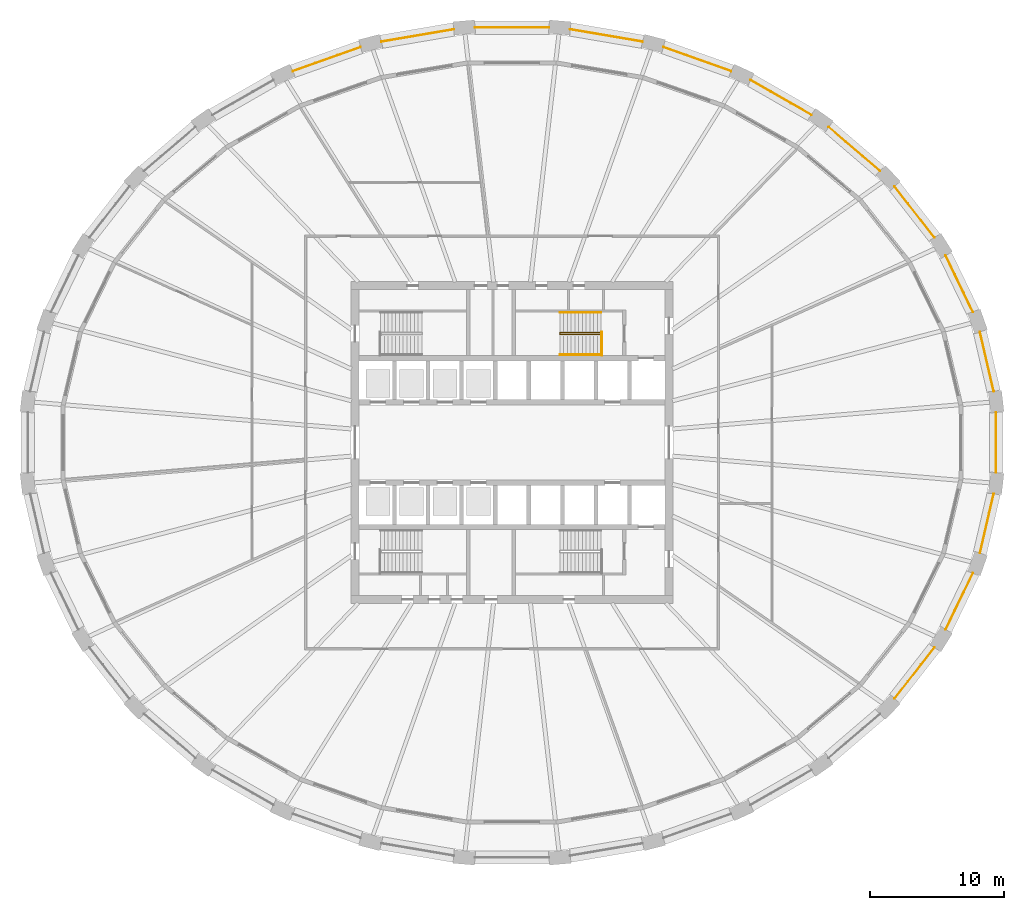
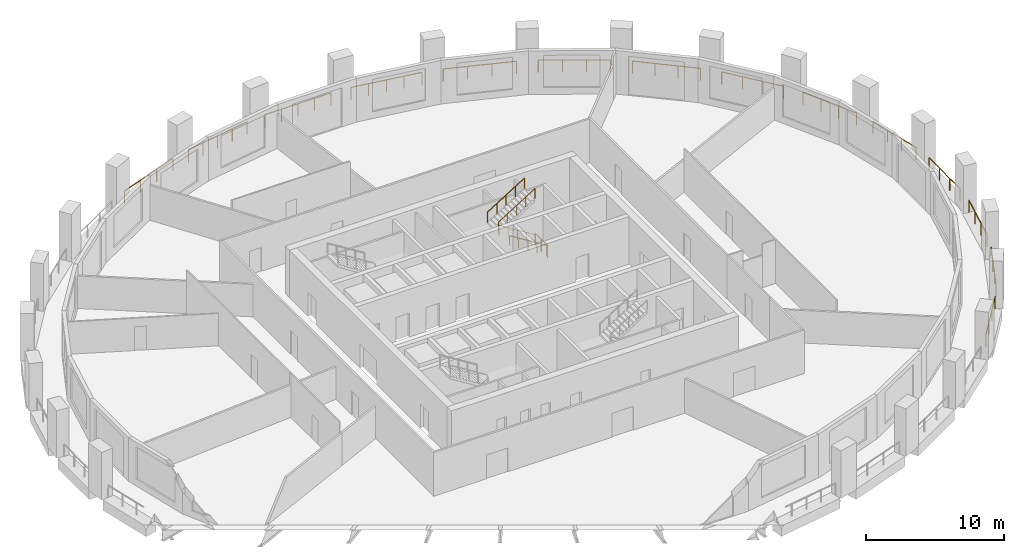
# One storey, part 9 of 10: 18 railings.
"""IFC4 building model written with IfcOpenShell, lengths in metres."""

from ifc_helpers import new_model, si_unit, direction, frame, origin, origin_2d, place, context, subcontext, project, spatial, circle, extrude, material, type_object, element, save


model = new_model("IFC4")

# Units and contexts
model_context = context("Model", 3, precision=1e-05, world=origin(), true_north=direction((0.0, 1.0)))
body_context = subcontext(model_context, "Body", "Model", "MODEL_VIEW")
ifc_project = project(units=[si_unit("LENGTHUNIT", "METRE"), si_unit("AREAUNIT", "SQUARE_METRE"), si_unit("VOLUMEUNIT", "CUBIC_METRE"), si_unit("PLANEANGLEUNIT", "RADIAN"), si_unit("MASSUNIT", "GRAM", prefix="KILO")], contexts=[model_context])

# Site, building, storey
site_placement = place(None, origin())
site = spatial("IfcSite", under=ifc_project, at=site_placement, CompositionType="ELEMENT")
building_placement = place(site_placement, origin())
building = spatial("IfcBuilding", under=site, at=building_placement, Name="Halqa Exchange Tower", CompositionType="ELEMENT")
storey_placement = place(building_placement, frame((0.0, 0.0, 94.89990234375)))
storey = spatial("IfcBuildingStorey", under=building, at=storey_placement, Name="L21", CompositionType="ELEMENT", Elevation=94.89990234375)

# Railings
ifc_material = material(Name="Stainless steel", Category="steel")
railing_type_1 = type_object("IfcRailingType", Name="Guard 1100 stainless steel", PredefinedType="GUARDRAIL", material=ifc_material)
railing_1_placement = place(storey_placement, frame((35.933837890625, 3.828125, 0.0)))
element("IfcRailing", 1, at=railing_1_placement, inside=storey, type_object=railing_type_1, Name="Loggia guard 1", PredefinedType="GUARDRAIL", context=body_context, shape_type="SweptSolid", body=[
    extrude(circle(Radius=0.02392578125, at=origin_2d()), frame((0.0, 0.0, 1.076171875), z_axis=(-0.226049512148, 0.974115813473, 0.0), x_axis=(-0.974115813473, -0.226049512148, 0.0)), (0.0, 0.0, 1.0), 4.539306640625),
    extrude(circle(Radius=0.02099609375, at=origin_2d()), origin(), (0.0, 0.0, 1.0), 1.052001953125),
    extrude(circle(Radius=0.02099609375, at=origin_2d()), frame((-0.342041015625, 1.473876953125, 0.0)), (0.0, 0.0, 1.0), 1.052001953125),
    extrude(circle(Radius=0.02099609375, at=origin_2d()), frame((-0.68408203125, 2.947998046875, 0.0)), (0.0, 0.0, 1.0), 1.052001953125),
    extrude(circle(Radius=0.02099609375, at=origin_2d()), frame((-1.026123046875, 4.421875, 0.0)), (0.0, 0.0, 1.0), 1.052001953125),
])
railing_2_placement = place(storey_placement, frame((34.37890625, 9.749755859375, 0.0)))
element("IfcRailing", 2, at=railing_2_placement, inside=storey, type_object=railing_type_1, Name="Loggia guard 2", PredefinedType="GUARDRAIL", context=body_context, shape_type="SweptSolid", body=[
    extrude(circle(Radius=0.02392578125, at=origin_2d()), frame((0.0, 0.0, 1.076171875), z_axis=(-0.435136078438, 0.900364700131, 0.0), x_axis=(-0.900364700131, -0.435136078438, 0.0)), (0.0, 0.0, 1.0), 4.65673828125),
    extrude(circle(Radius=0.02099609375, at=origin_2d()), origin(), (0.0, 0.0, 1.0), 1.052001953125),
    extrude(circle(Radius=0.02099609375, at=origin_2d()), frame((-0.675537109375, 1.397705078125, 0.0)), (0.0, 0.0, 1.0), 1.052001953125),
    extrude(circle(Radius=0.02099609375, at=origin_2d()), frame((-1.350830078125, 2.795166015625, 0.0)), (0.0, 0.0, 1.0), 1.052001953125),
    extrude(circle(Radius=0.02099609375, at=origin_2d()), frame((-2.0263671875, 4.19287109375, 0.0)), (0.0, 0.0, 1.0), 1.052001953125),
])
railing_3_placement = place(storey_placement, frame((31.5126953125, 15.293701171875, 0.0)))
element("IfcRailing", 3, at=railing_3_placement, inside=storey, type_object=railing_type_1, Name="Loggia guard 3", PredefinedType="GUARDRAIL", context=body_context, shape_type="SweptSolid", body=[
    extrude(circle(Radius=0.02392578125, at=origin_2d()), frame((0.0, 0.0, 1.076171875), z_axis=(-0.614804814525, 0.788679301133, 0.0), x_axis=(-0.788679301133, -0.614804814525, 0.0)), (0.0, 0.0, 1.0), 4.828857421875),
    extrude(circle(Radius=0.02099609375, at=origin_2d()), origin(), (0.0, 0.0, 1.0), 1.052001953125),
    extrude(circle(Radius=0.02099609375, at=origin_2d()), frame((-0.989501953125, 1.26953125, 0.0)), (0.0, 0.0, 1.0), 1.052001953125),
    extrude(circle(Radius=0.02099609375, at=origin_2d()), frame((-1.979248046875, 2.538818359375, 0.0)), (0.0, 0.0, 1.0), 1.052001953125),
    extrude(circle(Radius=0.02099609375, at=origin_2d()), frame((-2.96875, 3.808349609375, 0.0)), (0.0, 0.0, 1.0), 1.052001953125),
])
railing_4_placement = place(storey_placement, frame((27.44482421875, 20.253662109375, 0.0)))
element("IfcRailing", 4, at=railing_4_placement, inside=storey, type_object=railing_type_1, Name="Loggia guard 4", PredefinedType="GUARDRAIL", context=body_context, shape_type="SweptSolid", body=[
    extrude(circle(Radius=0.02392578125, at=origin_2d()), frame((0.0, 0.0, 1.076171875), z_axis=(-0.759263460736, 0.650783371938, 0.0), x_axis=(-0.650783371938, -0.759263460736, 0.0)), (0.0, 0.0, 1.0), 5.025390625),
    extrude(circle(Radius=0.02099609375, at=origin_2d()), origin(), (0.0, 0.0, 1.0), 1.052001953125),
    extrude(circle(Radius=0.02099609375, at=origin_2d()), frame((-1.27197265625, 1.090087890625, 0.0)), (0.0, 0.0, 1.0), 1.052001953125),
    extrude(circle(Radius=0.02099609375, at=origin_2d()), frame((-2.543701171875, 2.180419921875, 0.0)), (0.0, 0.0, 1.0), 1.052001953125),
    extrude(circle(Radius=0.02099609375, at=origin_2d()), frame((-3.815673828125, 3.2705078125, 0.0)), (0.0, 0.0, 1.0), 1.052001953125),
])
railing_5_placement = place(storey_placement, frame((22.32763671875, 24.4423828125, 0.0)))
element("IfcRailing", 5, at=railing_5_placement, inside=storey, type_object=railing_type_1, Name="Loggia guard 5", PredefinedType="GUARDRAIL", context=body_context, shape_type="SweptSolid", body=[
    extrude(circle(Radius=0.02392578125, at=origin_2d()), frame((0.0, 0.0, 1.076171875), z_axis=(-0.867755983437, 0.496990496096, 0.0), x_axis=(-0.496990496096, -0.867755983437, 0.0)), (0.0, 0.0, 1.0), 5.216552734375),
    extrude(circle(Radius=0.02099609375, at=origin_2d()), origin(), (0.0, 0.0, 1.0), 1.052001953125),
    extrude(circle(Radius=0.02099609375, at=origin_2d()), frame((-1.5087890625, 0.8642578125, 0.0)), (0.0, 0.0, 1.0), 1.052001953125),
    extrude(circle(Radius=0.02099609375, at=origin_2d()), frame((-3.017822265625, 1.728271484375, 0.0)), (0.0, 0.0, 1.0), 1.052001953125),
    extrude(circle(Radius=0.02099609375, at=origin_2d()), frame((-4.526611328125, 2.592529296875, 0.0)), (0.0, 0.0, 1.0), 1.052001953125),
])
railing_6_placement = place(storey_placement, frame((16.352783203125, 27.7001953125, 0.0)))
element("IfcRailing", 6, at=railing_6_placement, inside=storey, type_object=railing_type_1, Name="Loggia guard 6", PredefinedType="GUARDRAIL", context=body_context, shape_type="SweptSolid", body=[
    extrude(circle(Radius=0.02392578125, at=origin_2d()), frame((0.0, 0.0, 1.076171875), z_axis=(-0.942372313915, 0.334566020341, 0.0), x_axis=(-0.334566020341, -0.942372313915, 0.0)), (0.0, 0.0, 1.0), 5.37451171875),
    extrude(circle(Radius=0.02099609375, at=origin_2d()), origin(), (0.0, 0.0, 1.0), 1.052001953125),
    extrude(circle(Radius=0.02099609375, at=origin_2d()), frame((-1.688232421875, 0.599365234375, 0.0)), (0.0, 0.0, 1.0), 1.052001953125),
    extrude(circle(Radius=0.02099609375, at=origin_2d()), frame((-3.37646484375, 1.19873046875, 0.0)), (0.0, 0.0, 1.0), 1.052001953125),
    extrude(circle(Radius=0.02099609375, at=origin_2d()), frame((-5.064697265625, 1.798095703125, 0.0)), (0.0, 0.0, 1.0), 1.052001953125),
])
railing_7_placement = place(storey_placement, frame((9.74560546875, 29.900390625, 0.0)))
element("IfcRailing", 7, at=railing_7_placement, inside=storey, type_object=railing_type_1, Name="Loggia guard 7", PredefinedType="GUARDRAIL", context=body_context, shape_type="SweptSolid", body=[
    extrude(circle(Radius=0.02392578125, at=origin_2d()), frame((0.0, 0.0, 1.076171875), z_axis=(-0.985775171727, 0.168069363079, 0.0), x_axis=(-0.168069363079, -0.985775171727, 0.0)), (0.0, 0.0, 1.0), 5.477783203125),
    extrude(circle(Radius=0.02099609375, at=origin_2d()), origin(), (0.0, 0.0, 1.0), 1.052001953125),
    extrude(circle(Radius=0.02099609375, at=origin_2d()), frame((-1.35009765625, 0.230224609375, 0.0)), (0.0, 0.0, 1.0), 1.052001953125),
    extrude(circle(Radius=0.02099609375, at=origin_2d()), frame((-2.699951171875, 0.46044921875, 0.0)), (0.0, 0.0, 1.0), 1.052001953125),
    extrude(circle(Radius=0.02099609375, at=origin_2d()), frame((-4.0498046875, 0.6904296875, 0.0)), (0.0, 0.0, 1.0), 1.052001953125),
    extrude(circle(Radius=0.02099609375, at=origin_2d()), frame((-5.39990234375, 0.920654296875, 0.0)), (0.0, 0.0, 1.0), 1.052001953125),
])
railing_8_placement = place(storey_placement, frame((2.757080078125, 30.95556640625, 0.0)))
element("IfcRailing", 8, at=railing_8_placement, inside=storey, type_object=railing_type_1, Name="Loggia guard 8", PredefinedType="GUARDRAIL", context=body_context, shape_type="SweptSolid", body=[
    extrude(circle(Radius=0.02392578125, at=origin_2d()), frame((0.0, 0.0, 1.076171875), z_axis=(-1.0, 0.0, 0.0), x_axis=(0.0, -1.0, 0.0)), (0.0, 0.0, 1.0), 5.51416015625),
    extrude(circle(Radius=0.02099609375, at=origin_2d()), origin(), (0.0, 0.0, 1.0), 1.052001953125),
    extrude(circle(Radius=0.02099609375, at=origin_2d()), frame((-1.37841796875, 0.0, 0.0)), (0.0, 0.0, 1.0), 1.052001953125),
    extrude(circle(Radius=0.02099609375, at=origin_2d()), frame((-2.757080078125, 0.0, 0.0)), (0.0, 0.0, 1.0), 1.052001953125),
    extrude(circle(Radius=0.02099609375, at=origin_2d()), frame((-4.1357421875, 0.0, 0.0)), (0.0, 0.0, 1.0), 1.052001953125),
    extrude(circle(Radius=0.02099609375, at=origin_2d()), frame((-5.51416015625, 0.0, 0.0)), (0.0, 0.0, 1.0), 1.052001953125),
])
railing_9_placement = place(storey_placement, frame((-4.345703125, 30.821044921875, 0.0)))
element("IfcRailing", 9, at=railing_9_placement, inside=storey, type_object=railing_type_1, Name="Loggia guard 9", PredefinedType="GUARDRAIL", context=body_context, shape_type="SweptSolid", body=[
    extrude(circle(Radius=0.02392578125, at=origin_2d()), frame((0.0, 0.0, 1.076171875), z_axis=(-0.985775171727, -0.168069363079, 0.0), x_axis=(0.168069363079, -0.985775171727, 0.0)), (0.0, 0.0, 1.0), 5.477783203125),
    extrude(circle(Radius=0.02099609375, at=origin_2d()), origin(), (0.0, 0.0, 1.0), 1.052001953125),
    extrude(circle(Radius=0.02099609375, at=origin_2d()), frame((-1.35009765625, -0.230224609375, 0.0)), (0.0, 0.0, 1.0), 1.052001953125),
    extrude(circle(Radius=0.02099609375, at=origin_2d()), frame((-2.699951171875, -0.46044921875, 0.0)), (0.0, 0.0, 1.0), 1.052001953125),
    extrude(circle(Radius=0.02099609375, at=origin_2d()), frame((-4.0498046875, -0.6904296875, 0.0)), (0.0, 0.0, 1.0), 1.052001953125),
    extrude(circle(Radius=0.02099609375, at=origin_2d()), frame((-5.39990234375, -0.920654296875, 0.0)), (0.0, 0.0, 1.0), 1.052001953125),
])
railing_10_placement = place(storey_placement, frame((-11.2880859375, 29.498291015625, 0.0)))
element("IfcRailing", 10, at=railing_10_placement, inside=storey, type_object=railing_type_1, Name="Loggia guard 10", PredefinedType="GUARDRAIL", context=body_context, shape_type="SweptSolid", body=[
    extrude(circle(Radius=0.02392578125, at=origin_2d()), frame((0.0, 0.0, 1.076171875), z_axis=(-0.942372313915, -0.334566020341, 0.0), x_axis=(0.334566020341, -0.942372313915, 0.0)), (0.0, 0.0, 1.0), 5.37451171875),
    extrude(circle(Radius=0.02099609375, at=origin_2d()), origin(), (0.0, 0.0, 1.0), 1.052001953125),
    extrude(circle(Radius=0.02099609375, at=origin_2d()), frame((-1.688232421875, -0.599365234375, 0.0)), (0.0, 0.0, 1.0), 1.052001953125),
    extrude(circle(Radius=0.02099609375, at=origin_2d()), frame((-3.37646484375, -1.19873046875, 0.0)), (0.0, 0.0, 1.0), 1.052001953125),
    extrude(circle(Radius=0.02099609375, at=origin_2d()), frame((-5.064697265625, -1.798095703125, 0.0)), (0.0, 0.0, 1.0), 1.052001953125),
])
railing_11_placement = place(storey_placement, frame((28.5439453125, -19.10205078125, 0.0)))
element("IfcRailing", 11, at=railing_11_placement, inside=storey, type_object=railing_type_1, Name="Loggia guard 29", PredefinedType="GUARDRAIL", context=body_context, shape_type="SweptSolid", body=[
    extrude(circle(Radius=0.02392578125, at=origin_2d()), frame((0.0, 0.0, 1.076171875), z_axis=(0.614804814525, 0.788679301133, 0.0), x_axis=(-0.788679301133, 0.614804814525, 0.0)), (0.0, 0.0, 1.0), 4.828857421875),
    extrude(circle(Radius=0.02099609375, at=origin_2d()), origin(), (0.0, 0.0, 1.0), 1.052001953125),
    extrude(circle(Radius=0.02099609375, at=origin_2d()), frame((0.989501953125, 1.26953125, 0.0)), (0.0, 0.0, 1.0), 1.052001953125),
    extrude(circle(Radius=0.02099609375, at=origin_2d()), frame((1.979248046875, 2.538818359375, 0.0)), (0.0, 0.0, 1.0), 1.052001953125),
    extrude(circle(Radius=0.02099609375, at=origin_2d()), frame((2.96875, 3.808349609375, 0.0)), (0.0, 0.0, 1.0), 1.052001953125),
])
railing_12_placement = place(storey_placement, frame((32.3525390625, -13.942626953125, 0.0)))
element("IfcRailing", 12, at=railing_12_placement, inside=storey, type_object=railing_type_1, Name="Loggia guard 30", PredefinedType="GUARDRAIL", context=body_context, shape_type="SweptSolid", body=[
    extrude(circle(Radius=0.02392578125, at=origin_2d()), frame((0.0, 0.0, 1.076171875), z_axis=(0.435136078438, 0.900364700131, 0.0), x_axis=(-0.900364700131, 0.435136078438, 0.0)), (0.0, 0.0, 1.0), 4.65673828125),
    extrude(circle(Radius=0.02099609375, at=origin_2d()), origin(), (0.0, 0.0, 1.0), 1.052001953125),
    extrude(circle(Radius=0.02099609375, at=origin_2d()), frame((0.675537109375, 1.397705078125, 0.0)), (0.0, 0.0, 1.0), 1.052001953125),
    extrude(circle(Radius=0.02099609375, at=origin_2d()), frame((1.350830078125, 2.795166015625, 0.0)), (0.0, 0.0, 1.0), 1.052001953125),
    extrude(circle(Radius=0.02099609375, at=origin_2d()), frame((2.0263671875, 4.19287109375, 0.0)), (0.0, 0.0, 1.0), 1.052001953125),
])
railing_13_placement = place(storey_placement, frame((34.90771484375, -8.25, 0.0)))
element("IfcRailing", 13, at=railing_13_placement, inside=storey, type_object=railing_type_1, Name="Loggia guard 31", PredefinedType="GUARDRAIL", context=body_context, shape_type="SweptSolid", body=[
    extrude(circle(Radius=0.02392578125, at=origin_2d()), frame((0.0, 0.0, 1.076171875), z_axis=(0.226049512148, 0.974115813473, 0.0), x_axis=(-0.974115813473, 0.226049512148, 0.0)), (0.0, 0.0, 1.0), 4.539306640625),
    extrude(circle(Radius=0.02099609375, at=origin_2d()), origin(), (0.0, 0.0, 1.0), 1.052001953125),
    extrude(circle(Radius=0.02099609375, at=origin_2d()), frame((0.342041015625, 1.473876953125, 0.0)), (0.0, 0.0, 1.0), 1.052001953125),
    extrude(circle(Radius=0.02099609375, at=origin_2d()), frame((0.68408203125, 2.947998046875, 0.0)), (0.0, 0.0, 1.0), 1.052001953125),
    extrude(circle(Radius=0.02099609375, at=origin_2d()), frame((1.026123046875, 4.421875, 0.0)), (0.0, 0.0, 1.0), 1.052001953125),
])
railing_14_placement = place(storey_placement, frame((36.11474609375, -2.248779296875, 0.0)))
element("IfcRailing", 14, at=railing_14_placement, inside=storey, type_object=railing_type_1, Name="Loggia guard 32", PredefinedType="GUARDRAIL", context=body_context, shape_type="SweptSolid", body=[
    extrude(circle(Radius=0.02392578125, at=origin_2d()), frame((0.0, 0.0, 1.076171875), z_axis=(0.0, 1.0, 0.0), x_axis=(-1.0, 0.0, 0.0)), (0.0, 0.0, 1.0), 4.49755859375),
    extrude(circle(Radius=0.02099609375, at=origin_2d()), origin(), (0.0, 0.0, 1.0), 1.052001953125),
    extrude(circle(Radius=0.02099609375, at=origin_2d()), frame((0.0, 1.499267578125, 0.0)), (0.0, 0.0, 1.0), 1.052001953125),
    extrude(circle(Radius=0.02099609375, at=origin_2d()), frame((0.0, 2.998291015625, 0.0)), (0.0, 0.0, 1.0), 1.052001953125),
    extrude(circle(Radius=0.02099609375, at=origin_2d()), frame((0.0, 4.49755859375, 0.0)), (0.0, 0.0, 1.0), 1.052001953125),
])
railing_type_2 = type_object("IfcRailingType", Name="Stair handrail 900", PredefinedType="HANDRAIL", material=ifc_material)
railing_15_placement = place(storey_placement, frame((6.64990234375, 8.06005859375, 0.175048828125)))
element("IfcRailing", 15, at=railing_15_placement, inside=storey, type_object=railing_type_2, Name="Handrail ST2.1", PredefinedType="HANDRAIL", context=body_context, shape_type="SweptSolid", body=[
    extrude(circle(Radius=0.02392578125, at=origin_2d()), frame((0.0, 0.0, 0.8759765625), z_axis=(-0.847979421464, 0.0, 0.530029150871), x_axis=(0.0, -1.0, 0.0)), (0.0, 0.0, 1.0), 3.632080078125),
    extrude(circle(Radius=0.02392578125, at=origin_2d()), frame((-3.079833984375, 0.0, 2.80078125), z_axis=(0.0, 0.595870227118, 0.803080738428), x_axis=(-1.0, 0.0, 0.0)), (0.0, 0.0, 1.0), 0.218017578125),
    extrude(circle(Radius=0.02392578125, at=origin_2d()), frame((-3.079833984375, 0.1298828125, 2.97607421875), z_axis=(0.847979421464, 0.0, 0.530029150871), x_axis=(0.0, 1.0, 0.0)), (0.0, 0.0, 1.0), 3.632080078125),
    extrude(circle(Radius=0.02099609375, at=origin_2d()), origin(), (0.0, 0.0, 1.0), 0.851806640625),
    extrude(circle(Radius=0.02099609375, at=origin_2d()), frame((-0.77001953125, 0.0, 0.481201171875)), (0.0, 0.0, 1.0), 0.851806640625),
    extrude(circle(Radius=0.02099609375, at=origin_2d()), frame((-1.5400390625, 0.0, 0.96240234375)), (0.0, 0.0, 1.0), 0.851806640625),
    extrude(circle(Radius=0.02099609375, at=origin_2d()), frame((-2.309814453125, 0.0, 1.44384765625)), (0.0, 0.0, 1.0), 0.851806640625),
    extrude(circle(Radius=0.02099609375, at=origin_2d()), frame((-3.079833984375, 0.0, 1.925048828125)), (0.0, 0.0, 1.0), 0.851806640625),
    extrude(circle(Radius=0.02099609375, at=origin_2d()), frame((-3.079833984375, 0.1298828125, 2.10009765625)), (0.0, 0.0, 1.0), 0.851806640625),
    extrude(circle(Radius=0.02099609375, at=origin_2d()), frame((-2.309814453125, 0.1298828125, 2.581298828125)), (0.0, 0.0, 1.0), 0.851806640625),
    extrude(circle(Radius=0.02099609375, at=origin_2d()), frame((-1.5400390625, 0.1298828125, 3.0625)), (0.0, 0.0, 1.0), 0.851806640625),
    extrude(circle(Radius=0.02099609375, at=origin_2d()), frame((-0.77001953125, 0.1298828125, 3.5439453125)), (0.0, 0.0, 1.0), 0.851806640625),
    extrude(circle(Radius=0.02099609375, at=origin_2d()), frame((0.0, 0.1298828125, 4.025146484375)), (0.0, 0.0, 1.0), 0.851806640625),
])
railing_16_placement = place(storey_placement, frame((6.64990234375, 6.550048828125, 0.175048828125)))
element("IfcRailing", 16, at=railing_16_placement, inside=storey, type_object=railing_type_2, Name="Handrail ST2.2", PredefinedType="HANDRAIL", context=body_context, shape_type="SweptSolid", body=[
    extrude(circle(Radius=0.02392578125, at=origin_2d()), frame((0.0, 0.0, 0.8759765625), z_axis=(-0.847979421464, 0.0, 0.530029150871), x_axis=(0.0, -1.0, 0.0)), (0.0, 0.0, 1.0), 3.632080078125),
    extrude(circle(Radius=0.02099609375, at=origin_2d()), origin(), (0.0, 0.0, 1.0), 0.851806640625),
    extrude(circle(Radius=0.02099609375, at=origin_2d()), frame((-0.77001953125, 0.0, 0.481201171875)), (0.0, 0.0, 1.0), 0.851806640625),
    extrude(circle(Radius=0.02099609375, at=origin_2d()), frame((-1.5400390625, 0.0, 0.96240234375)), (0.0, 0.0, 1.0), 0.851806640625),
    extrude(circle(Radius=0.02099609375, at=origin_2d()), frame((-2.309814453125, 0.0, 1.44384765625)), (0.0, 0.0, 1.0), 0.851806640625),
    extrude(circle(Radius=0.02099609375, at=origin_2d()), frame((-3.079833984375, 0.0, 1.925048828125)), (0.0, 0.0, 1.0), 0.851806640625),
])
railing_17_placement = place(storey_placement, frame((3.570068359375, 9.699951171875, 2.275146484375)))
element("IfcRailing", 17, at=railing_17_placement, inside=storey, type_object=railing_type_2, Name="Handrail ST2.3", PredefinedType="HANDRAIL", context=body_context, shape_type="SweptSolid", body=[
    extrude(circle(Radius=0.02392578125, at=origin_2d()), frame((0.0, 0.0, 0.8759765625), z_axis=(0.847979421464, 0.0, 0.530029150871), x_axis=(0.0, 1.0, 0.0)), (0.0, 0.0, 1.0), 3.632080078125),
    extrude(circle(Radius=0.02099609375, at=origin_2d()), origin(), (0.0, 0.0, 1.0), 0.851806640625),
    extrude(circle(Radius=0.02099609375, at=origin_2d()), frame((0.77001953125, 0.0, 0.481201171875)), (0.0, 0.0, 1.0), 0.851806640625),
    extrude(circle(Radius=0.02099609375, at=origin_2d()), frame((1.5400390625, 0.0, 0.96240234375)), (0.0, 0.0, 1.0), 0.851806640625),
    extrude(circle(Radius=0.02099609375, at=origin_2d()), frame((2.309814453125, 0.0, 1.44384765625)), (0.0, 0.0, 1.0), 0.851806640625),
    extrude(circle(Radius=0.02099609375, at=origin_2d()), frame((3.079833984375, 0.0, 1.925048828125)), (0.0, 0.0, 1.0), 0.851806640625),
])
railing_type_3 = type_object("IfcRailingType", Name="Stair well guard 1100", PredefinedType="GUARDRAIL", material=ifc_material)
railing_18_placement = place(storey_placement, frame((6.699951171875, 6.5, 0.0)))
element("IfcRailing", 18, at=railing_18_placement, inside=storey, type_object=railing_type_3, Name="Guard ST2 well", PredefinedType="GUARDRAIL", context=body_context, shape_type="SweptSolid", body=[
    extrude(circle(Radius=0.02392578125, at=origin_2d()), frame((0.0, 0.0, 1.076171875), z_axis=(0.0, 1.0, 0.0), x_axis=(-1.0, 0.0, 0.0)), (0.0, 0.0, 1.0), 1.75),
    extrude(circle(Radius=0.02099609375, at=origin_2d()), origin(), (0.0, 0.0, 1.0), 1.052001953125),
    extrude(circle(Radius=0.02099609375, at=origin_2d()), frame((0.0, 0.875, 0.0)), (0.0, 0.0, 1.0), 1.052001953125),
    extrude(circle(Radius=0.02099609375, at=origin_2d()), frame((0.0, 1.75, 0.0)), (0.0, 0.0, 1.0), 1.052001953125),
])

save(model, "model.ifc")
